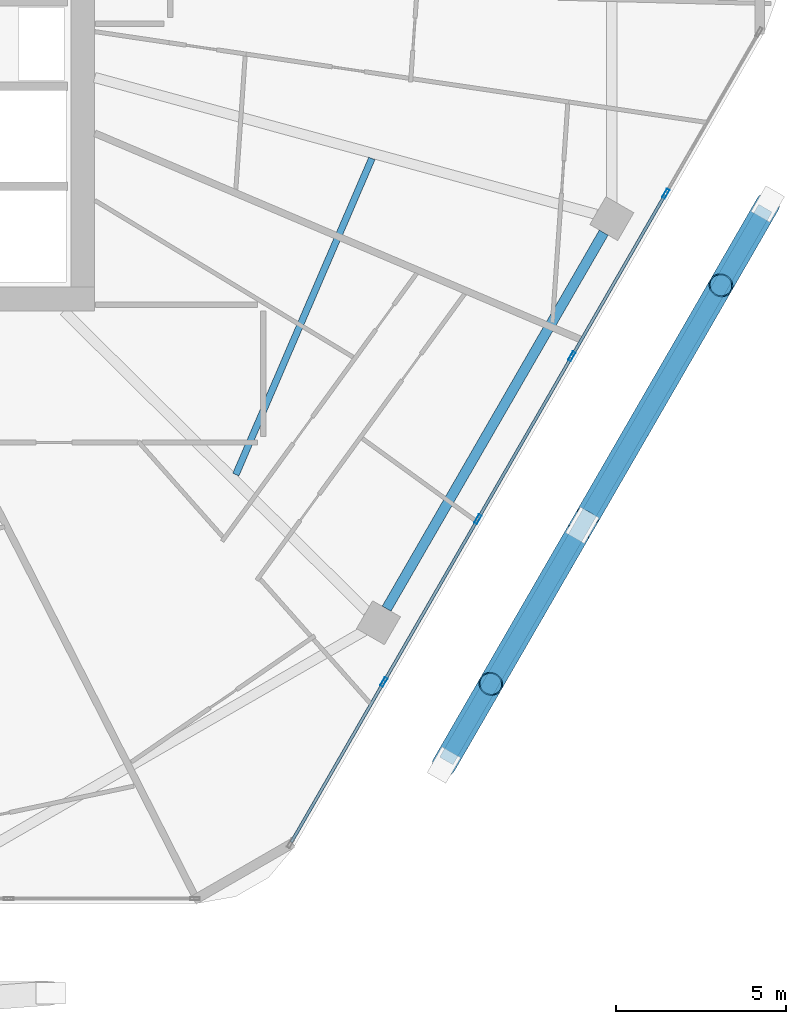
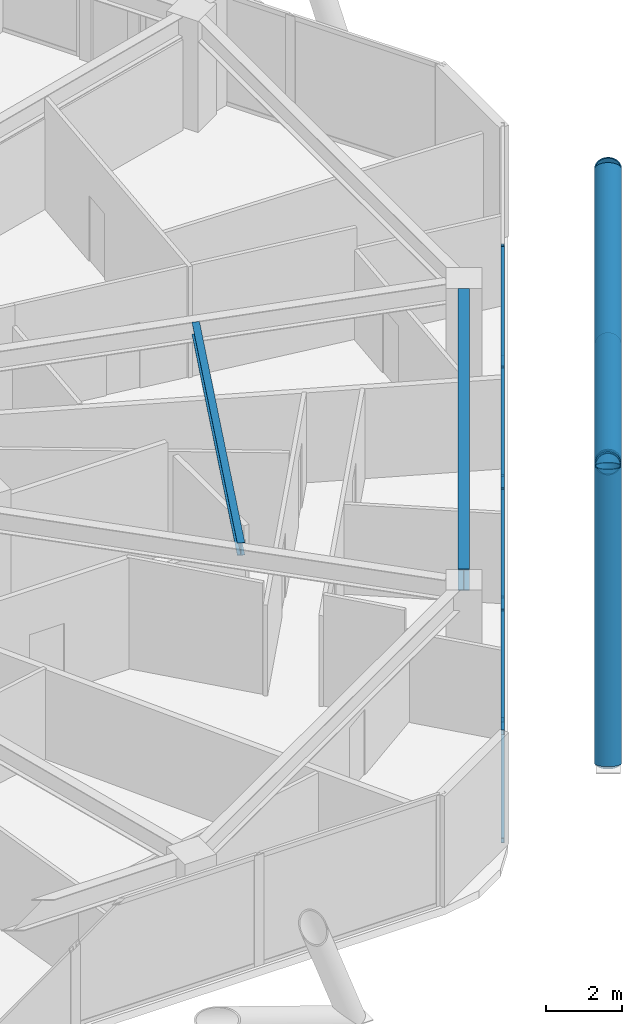
# One storey, part 8 of 29: 18 members, 2 beams, 1 element without a shape of its own.
"""IFC4 building model written with IfcOpenShell, lengths in metres."""

from ifc_helpers import new_model, si_unit, direction, frame, origin, origin_2d, place, context, subcontext, project, spatial, hollow_rectangle, hollow_circle, i_section, extrude, material, material_profile, profile_set, type_object, element, aggregate, save


model = new_model("IFC4")

# Units and contexts
model_context = context("Model", 3, precision=1e-05, world=origin(), true_north=direction((0.0, 1.0)))
body_context = subcontext(model_context, "Body", "Model", "MODEL_VIEW")
ifc_project = project(units=[si_unit("LENGTHUNIT", "METRE"), si_unit("AREAUNIT", "SQUARE_METRE"), si_unit("VOLUMEUNIT", "CUBIC_METRE"), si_unit("PLANEANGLEUNIT", "RADIAN"), si_unit("MASSUNIT", "GRAM", prefix="KILO")], contexts=[model_context])

# Site, building, storey
site_placement = place(None, origin())
site = spatial("IfcSite", under=ifc_project, at=site_placement, CompositionType="ELEMENT")
building_placement = place(site_placement, origin())
building = spatial("IfcBuilding", under=site, at=building_placement, Name="Zuhravey Tower", CompositionType="ELEMENT")
storey_placement = place(building_placement, frame((0.0, 0.0, 192.199951171875)))
storey = spatial("IfcBuildingStorey", under=building, at=storey_placement, Name="L48", CompositionType="ELEMENT", Elevation=192.199951171875)

# Curtain wall, members
ifc_material_1 = material(Name="Thermally broken anodised aluminium", Category="aluminium")
curtain_wall_type = type_object("IfcCurtainWallType", Name="Zone 1-2 Residential Curtain Wall CW3", PredefinedType="NOTDEFINED", material=ifc_material_1)
curtain_wall_placement = place(storey_placement, origin())
curtain_wall = element("IfcCurtainWall", 1, at=curtain_wall_placement, inside=storey, type_object=curtain_wall_type, Name="L48 CW3 CW-L48-F6-1", PredefinedType="NOTDEFINED")
ifc_material_2 = material(Name="Anodised aluminium", Category="aluminium")
ifc_material_profile_1 = material_profile(ifc_material_2, hollow_rectangle(XDim=0.090087890625, YDim=0.284912109375, WallThickness=0.0048828125, at=origin_2d()), Name="ALU-RHS-90x285x5")
ifc_profile_set_1 = profile_set([ifc_material_profile_1], Name="Anodised aluminium")
member_type_1 = type_object("IfcMemberType", Name="Curtain-Wall Mullion 90x180", PredefinedType="MULLION", material=ifc_profile_set_1)
member_1_placement = place(storey_placement, frame((63.699462890625, 25.61083984375, 0.0), z_axis=(0.0, 0.0, 1.0), x_axis=(0.866025138215, -0.500000459979, 0.0)))
member_1 = element("IfcMember", 2, at=member_1_placement, type_object=member_type_1, Name="CW3 mullion 2", PredefinedType="MULLION", context=body_context, shape_type="SweptSolid", body=[
    extrude(hollow_rectangle(XDim=0.090087890625, YDim=0.284912109375, WallThickness=0.0048828125, at=origin_2d()), origin(), (0.0, 0.0, 1.0), 3.550048828125),
])
member_2_placement = place(storey_placement, frame((60.92724609375, 20.809326171875, 0.0), z_axis=(0.0, 0.0, 1.0), x_axis=(0.866025138215, -0.500000459979, 0.0)))
member_2 = element("IfcMember", 3, at=member_2_placement, type_object=member_type_1, Name="CW3 mullion 3", PredefinedType="MULLION", context=body_context, shape_type="SweptSolid", body=[
    extrude(hollow_rectangle(XDim=0.090087890625, YDim=0.284912109375, WallThickness=0.0048828125, at=origin_2d()), origin(), (0.0, 0.0, 1.0), 3.550048828125),
])
member_3_placement = place(storey_placement, frame((58.155029296875, 16.007568359375, 0.0), z_axis=(0.0, 0.0, 1.0), x_axis=(0.866025138215, -0.500000459979, 0.0)))
member_3 = element("IfcMember", 4, at=member_3_placement, type_object=member_type_1, Name="CW3 mullion 4", PredefinedType="MULLION", context=body_context, shape_type="SweptSolid", body=[
    extrude(hollow_rectangle(XDim=0.090087890625, YDim=0.284912109375, WallThickness=0.0048828125, at=origin_2d()), origin(), (0.0, 0.0, 1.0), 3.550048828125),
])
member_4_placement = place(storey_placement, frame((55.3828125, 11.2060546875, 0.0), z_axis=(0.0, 0.0, 1.0), x_axis=(0.866025138215, -0.500000459979, 0.0)))
member_4 = element("IfcMember", 5, at=member_4_placement, type_object=member_type_1, Name="CW3 mullion 5", PredefinedType="MULLION", context=body_context, shape_type="SweptSolid", body=[
    extrude(hollow_rectangle(XDim=0.090087890625, YDim=0.284912109375, WallThickness=0.0048828125, at=origin_2d()), origin(), (0.0, 0.0, 1.0), 3.550048828125),
])
ifc_material_profile_2 = material_profile(ifc_material_2, hollow_rectangle(XDim=0.090087890625, YDim=0.14990234375, WallThickness=0.0048828125, at=origin_2d()), Name="ALU-RHS-90x150x5")
ifc_profile_set_2 = profile_set([ifc_material_profile_2], Name="Anodised aluminium")
member_type_2 = type_object("IfcMemberType", Name="Curtain-Wall Transom 90x150", PredefinedType="USERDEFINED", material=ifc_profile_set_2)
member_5_placement = place(storey_placement, frame((63.677001953125, 25.572021484375, 0.045166015625), z_axis=(-0.49996138257, -0.86604769842, 0.0), x_axis=(0.86604769842, -0.49996138257, 0.0)))
member_5 = element("IfcMember", 6, at=member_5_placement, type_object=member_type_2, Name="CW3 transom 2.1", ObjectType="TRANSOM", PredefinedType="USERDEFINED", context=body_context, shape_type="SweptSolid", body=[
    extrude(hollow_rectangle(XDim=0.090087890625, YDim=0.14990234375, WallThickness=0.0048828125, at=origin_2d()), origin(), (0.0, 0.0, 1.0), 5.45458984375),
])
member_6_placement = place(storey_placement, frame((63.677001953125, 25.572021484375, 3.505126953125), z_axis=(-0.49996138257, -0.86604769842, 0.0), x_axis=(0.86604769842, -0.49996138257, 0.0)))
member_6 = element("IfcMember", 7, at=member_6_placement, type_object=member_type_2, Name="CW3 transom 2.2", ObjectType="TRANSOM", PredefinedType="USERDEFINED", context=body_context, shape_type="SweptSolid", body=[
    extrude(hollow_rectangle(XDim=0.090087890625, YDim=0.14990234375, WallThickness=0.0048828125, at=origin_2d()), origin(), (0.0, 0.0, 1.0), 5.45458984375),
])
member_7_placement = place(storey_placement, frame((60.90478515625, 20.770263671875, 0.045166015625), z_axis=(-0.499980763544, -0.866036509673, 0.0), x_axis=(0.866036509673, -0.499980763544, 0.0)))
member_7 = element("IfcMember", 8, at=member_7_placement, type_object=member_type_2, Name="CW3 transom 3.1", ObjectType="TRANSOM", PredefinedType="USERDEFINED", context=body_context, shape_type="SweptSolid", body=[
    extrude(hollow_rectangle(XDim=0.090087890625, YDim=0.14990234375, WallThickness=0.0048828125, at=origin_2d()), origin(), (0.0, 0.0, 1.0), 5.454345703125),
])
member_8_placement = place(storey_placement, frame((60.90478515625, 20.770263671875, 3.505126953125), z_axis=(-0.499980763544, -0.866036509673, 0.0), x_axis=(0.866036509673, -0.499980763544, 0.0)))
member_8 = element("IfcMember", 9, at=member_8_placement, type_object=member_type_2, Name="CW3 transom 3.2", ObjectType="TRANSOM", PredefinedType="USERDEFINED", context=body_context, shape_type="SweptSolid", body=[
    extrude(hollow_rectangle(XDim=0.090087890625, YDim=0.14990234375, WallThickness=0.0048828125, at=origin_2d()), origin(), (0.0, 0.0, 1.0), 5.454345703125),
])
member_9_placement = place(storey_placement, frame((58.132568359375, 15.96875, 0.045166015625), z_axis=(-0.49996138257, -0.86604769842, 0.0), x_axis=(0.86604769842, -0.49996138257, 0.0)))
member_9 = element("IfcMember", 10, at=member_9_placement, type_object=member_type_2, Name="CW3 transom 4.1", ObjectType="TRANSOM", PredefinedType="USERDEFINED", context=body_context, shape_type="SweptSolid", body=[
    extrude(hollow_rectangle(XDim=0.090087890625, YDim=0.14990234375, WallThickness=0.0048828125, at=origin_2d()), origin(), (0.0, 0.0, 1.0), 5.45458984375),
])
member_10_placement = place(storey_placement, frame((58.132568359375, 15.96875, 3.505126953125), z_axis=(-0.49996138257, -0.86604769842, 0.0), x_axis=(0.86604769842, -0.49996138257, 0.0)))
member_10 = element("IfcMember", 11, at=member_10_placement, type_object=member_type_2, Name="CW3 transom 4.2", ObjectType="TRANSOM", PredefinedType="USERDEFINED", context=body_context, shape_type="SweptSolid", body=[
    extrude(hollow_rectangle(XDim=0.090087890625, YDim=0.14990234375, WallThickness=0.0048828125, at=origin_2d()), origin(), (0.0, 0.0, 1.0), 5.45458984375),
])
member_11_placement = place(storey_placement, frame((55.3603515625, 11.1669921875, 0.045166015625), z_axis=(-0.499993332629, -0.866029253159, 0.0), x_axis=(0.866029253159, -0.499993332629, 0.0)))
member_11 = element("IfcMember", 12, at=member_11_placement, type_object=member_type_2, Name="CW3 transom 5.1", ObjectType="TRANSOM", PredefinedType="USERDEFINED", context=body_context, shape_type="SweptSolid", body=[
    extrude(hollow_rectangle(XDim=0.090087890625, YDim=0.14990234375, WallThickness=0.0048828125, at=origin_2d()), origin(), (0.0, 0.0, 1.0), 5.4091796875),
])
member_12_placement = place(storey_placement, frame((55.3603515625, 11.1669921875, 3.505126953125), z_axis=(-0.499993332629, -0.866029253159, 0.0), x_axis=(0.866029253159, -0.499993332629, 0.0)))
member_12 = element("IfcMember", 13, at=member_12_placement, type_object=member_type_2, Name="CW3 transom 5.2", ObjectType="TRANSOM", PredefinedType="USERDEFINED", context=body_context, shape_type="SweptSolid", body=[
    extrude(hollow_rectangle(XDim=0.090087890625, YDim=0.14990234375, WallThickness=0.0048828125, at=origin_2d()), origin(), (0.0, 0.0, 1.0), 5.4091796875),
])
aggregate(curtain_wall, [member_1, member_2, member_3, member_4, member_5, member_6, member_7, member_8, member_9, member_10, member_11, member_12])

# Members
ifc_material_3 = material(Name="Steel SM355", Category="steel")
ifc_material_profile_3 = material_profile(ifc_material_3, hollow_circle(Radius=0.228515625, WallThickness=0.02197265625, at=origin_2d()), Name="CHS-457.2x22")
ifc_profile_set_3 = profile_set([ifc_material_profile_3], Name="Steel SM355")
member_type_3 = type_object("IfcMemberType", Name="Exoskeleton Ring Tie CHS457x22", PredefinedType="CHORD", material=ifc_profile_set_3)
member_13_placement = place(storey_placement, frame((57.22412109375, 8.874755859375, -0.4638671875), z_axis=(0.499989194203, 0.866031642424, 0.0), x_axis=(-0.866031642424, 0.499989194203, 0.0)))
element("IfcMember", 14, at=member_13_placement, inside=storey, type_object=member_type_3, Name="L48 Exoskeleton Face 6 Tie EXR1", PredefinedType="CHORD", context=body_context, shape_type="SweptSolid", body=[
    extrude(hollow_circle(Radius=0.228515625, WallThickness=0.02197265625, at=origin_2d()), origin(), (0.0, 0.0, 1.0), 18.830078125),
])
ifc_material_4 = material(Name="Steel SM460", Category="steel")
ifc_material_profile_4 = material_profile(ifc_material_4, hollow_circle(Radius=0.355712890625, WallThickness=0.031982421875, at=origin_2d()), Name="CHS-711.2x32")
ifc_profile_set_4 = profile_set([ifc_material_profile_4], Name="Steel SM460")
member_type_4 = type_object("IfcMemberType", Name="Exoskeleton Zone 2 Diagrid CHS711x32", PredefinedType="BRACE", material=ifc_profile_set_4)
member_14_placement = place(storey_placement, frame((57.15771484375, 8.760009765625, -0.44384765625), z_axis=(0.171433802544, 0.296937543674, 0.939382002437), x_axis=(-0.866029404905, 0.499993069792, 0.0)))
element("IfcMember", 15, at=member_14_placement, inside=storey, type_object=member_type_4, Name="L48 Face 6 Diagrid Brace 1", PredefinedType="BRACE", context=body_context, shape_type="SweptSolid", body=[
    extrude(hollow_circle(Radius=0.355712890625, WallThickness=0.031982421875, at=origin_2d()), origin(), (0.0, 0.0, 1.0), 8.047607421875),
])
member_15_placement = place(storey_placement, frame((57.175537109375, 8.790771484375, -0.44384765625), z_axis=(0.453340993402, 0.785214389504, 0.42180600543), x_axis=(-0.866026715089, 0.499997728747, 0.0)))
element("IfcMember", 16, at=member_15_placement, inside=storey, type_object=member_type_4, Name="L48 Face 6 Diagrid Brace 2", PredefinedType="BRACE", context=body_context, shape_type="SweptSolid", body=[
    extrude(hollow_circle(Radius=0.355712890625, WallThickness=0.031982421875, at=origin_2d()), origin(), (0.0, 0.0, 1.0), 17.922607421875),
])
member_16_placement = place(storey_placement, frame((66.705322265625, 25.296875, -0.44384765625), z_axis=(-0.171433802544, -0.296937543674, 0.939382002437), x_axis=(0.866029404905, -0.499993069792, 0.0)))
element("IfcMember", 17, at=member_16_placement, inside=storey, type_object=member_type_4, Name="L48 Face 6 Diagrid Brace 4", PredefinedType="BRACE", context=body_context, shape_type="SweptSolid", body=[
    extrude(hollow_circle(Radius=0.355712890625, WallThickness=0.031982421875, at=origin_2d()), origin(), (0.0, 0.0, 1.0), 8.047607421875),
])
member_17_placement = place(storey_placement, frame((66.6865234375, 25.264404296875, -0.448486328125), z_axis=(-0.472328200199, -0.818092776704, 0.328070541198), x_axis=(0.866024434144, -0.500001679462, 0.0)))
element("IfcMember", 18, at=member_17_placement, inside=storey, type_object=member_type_4, Name="L48 Face 6 Split Diagrid Brace 3A", PredefinedType="BRACE", context=body_context, shape_type="SweptSolid", body=[
    extrude(hollow_circle(Radius=0.355712890625, WallThickness=0.031982421875, at=origin_2d()), origin(), (0.0, 0.0, 1.0), 11.190185546875),
])
member_18_placement = place(storey_placement, frame((61.0966796875, 15.58251953125, 3.534912109375), z_axis=(-0.408754040359, -0.707971912813, 0.575930469032), x_axis=(0.866022084834, -0.500005748546, 0.0)))
element("IfcMember", 19, at=member_18_placement, inside=storey, type_object=member_type_4, Name="L48 Face 6 Split Diagrid Brace 3B", PredefinedType="BRACE", context=body_context, shape_type="SweptSolid", body=[
    extrude(hollow_circle(Radius=0.355712890625, WallThickness=0.031982421875, at=origin_2d()), origin(), (0.0, 0.0, 1.0), 6.205078125),
])

# Beams
ifc_material_profile_5 = material_profile(ifc_material_3, i_section(OverallWidth=0.300048828125, OverallDepth=0.679931640625, WebThickness=0.012939453125, FlangeThickness=0.02197265625, at=origin_2d()), Name="H-680x300x13x22")
ifc_profile_set_5 = profile_set([ifc_material_profile_5], Name="Steel SM355")
beam_type_1 = type_object("IfcBeamType", Name="Perimeter Ring Beam H680x300", PredefinedType="BEAM", material=ifc_profile_set_5)
beam_1_placement = place(storey_placement, frame((55.464599609375, 13.367431640625, 3.2099609375), z_axis=(0.500003505699, 0.866023379758, 0.0), x_axis=(-0.866023379758, 0.500003505699, 0.0)))
element("IfcBeam", 20, at=beam_1_placement, inside=storey, type_object=beam_type_1, Name="L48 PB2 BM-L48-PB-11", PredefinedType="BEAM", context=body_context, shape_type="SweptSolid", body=[
    extrude(i_section(OverallWidth=0.300048828125, OverallDepth=0.679931640625, WebThickness=0.012939453125, FlangeThickness=0.02197265625, at=origin_2d()), origin(), (0.0, 0.0, 1.0), 12.80810546875),
])
ifc_material_profile_6 = material_profile(ifc_material_3, i_section(OverallWidth=0.199951171875, OverallDepth=0.39990234375, WebThickness=0.008056640625, FlangeThickness=0.012939453125, at=origin_2d()), Name="H-400x200x8x13")
ifc_profile_set_6 = profile_set([ifc_material_profile_6], Name="Steel SM355")
beam_type_2 = type_object("IfcBeamType", Name="Secondary Floor Joist H400x200", PredefinedType="JOIST", material=ifc_profile_set_6)
beam_2_placement = place(storey_placement, frame((51.017578125, 17.323974609375, 3.35009765625), z_axis=(0.395265853487, 0.918566766799, 0.0), x_axis=(-0.918566766799, 0.395265853487, 0.0)))
element("IfcBeam", 21, at=beam_2_placement, inside=storey, type_object=beam_type_2, Name="L48 SJ2 BM-L48-SJ-11-1", PredefinedType="JOIST", context=body_context, shape_type="SweptSolid", body=[
    extrude(i_section(OverallWidth=0.199951171875, OverallDepth=0.39990234375, WebThickness=0.008056640625, FlangeThickness=0.012939453125, at=origin_2d()), origin(), (0.0, 0.0, 1.0), 10.150146484375),
])

save(model, "model.ifc")
